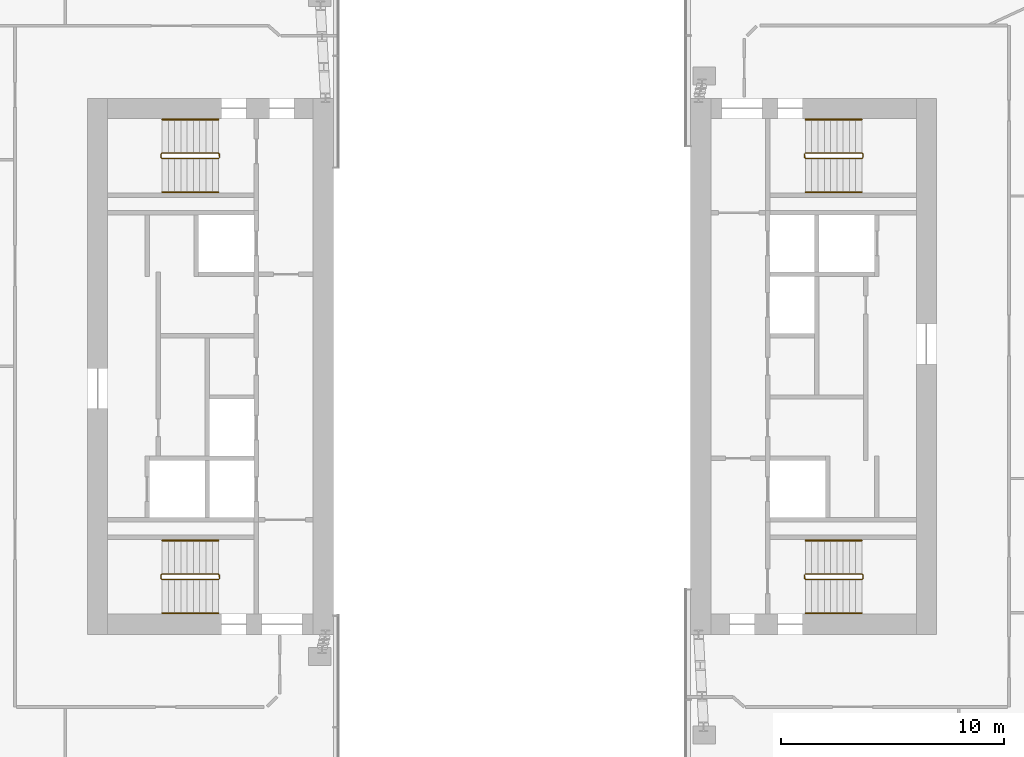
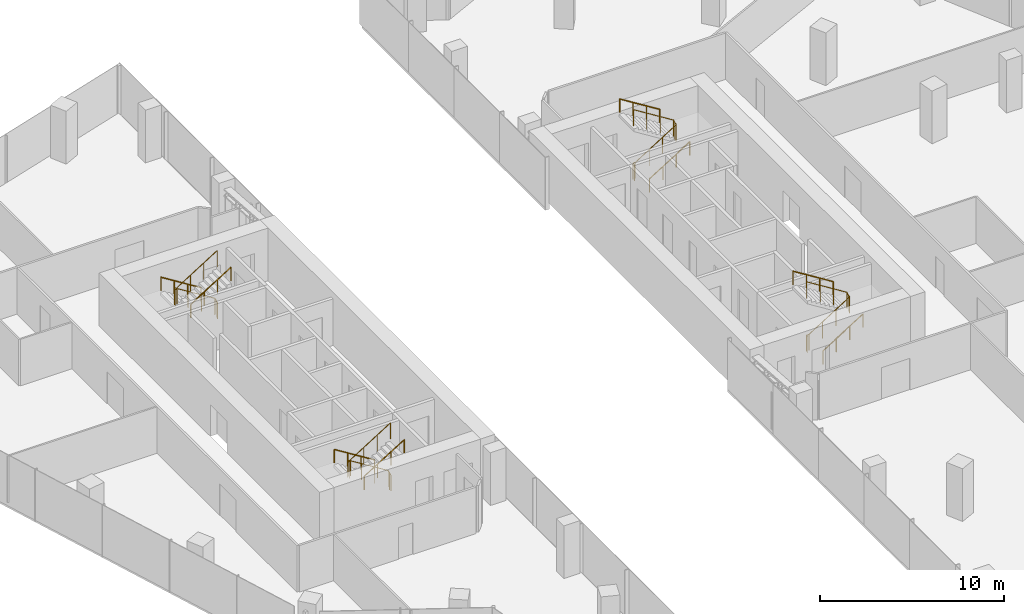
# One storey, part 22 of 23: 12 railings.
"""IFC4 building model written with IfcOpenShell, lengths in metres."""

from ifc_helpers import new_model, si_unit, direction, frame, origin, origin_2d, place, context, subcontext, project, spatial, circle, extrude, material, type_object, element, save


model = new_model("IFC4")

# Units and contexts
model_context = context("Model", 3, precision=1e-05, world=origin(), true_north=direction((0.0, 1.0)))
body_context = subcontext(model_context, "Body", "Model", "MODEL_VIEW")
ifc_project = project(units=[si_unit("LENGTHUNIT", "METRE"), si_unit("AREAUNIT", "SQUARE_METRE"), si_unit("VOLUMEUNIT", "CUBIC_METRE"), si_unit("PLANEANGLEUNIT", "RADIAN"), si_unit("MASSUNIT", "GRAM", prefix="KILO")], contexts=[model_context])

# Site, building, storey
site_placement = place(None, origin())
site = spatial("IfcSite", under=ifc_project, at=site_placement, CompositionType="ELEMENT")
building_placement = place(site_placement, origin())
building = spatial("IfcBuilding", under=site, at=building_placement, Name="Orlundy Tower", CompositionType="ELEMENT")
storey_placement = place(building_placement, frame((0.0, 0.0, 257.0)))
storey = spatial("IfcBuildingStorey", under=building, at=storey_placement, Name="L68", CompositionType="ELEMENT", Elevation=257.0)

# Railings
ifc_material_1 = material(Name="Steel balustrade", Category="steel")
railing_type_1 = type_object("IfcRailingType", Name="Stair Guard 1100", PredefinedType="GUARDRAIL", material=ifc_material_1)
railing_1_placement = place(storey_placement, frame((-13.090087890625, 9.5, 0.0)))
element("IfcRailing", 1, at=railing_1_placement, inside=storey, type_object=railing_type_1, Name="L68 ST-W1 stair guard 1", PredefinedType="GUARDRAIL", context=body_context, shape_type="SweptSolid", body=[
    extrude(circle(Radius=0.02392578125, at=origin_2d()), frame((0.0, 0.0, 1.076171875), z_axis=(0.0, -1.0, 0.0), x_axis=(1.0, 0.0, 0.0)), (0.0, 0.0, 1.0), 0.14990234375),
    extrude(circle(Radius=0.02392578125, at=origin_2d()), frame((0.0, -0.14990234375, 1.076171875), z_axis=(-0.18420542264, 0.739530593833, 0.647427882513), x_axis=(-0.970351222016, -0.241699205484, 0.0)), (0.0, 0.0, 1.0), 0.270263671875),
    extrude(circle(Radius=0.02392578125, at=origin_2d()), frame((-0.0498046875, 0.050048828125, 1.2509765625), z_axis=(-0.848007534815, 0.0, 0.529984170421), x_axis=(0.0, -1.0, 0.0)), (0.0, 0.0, 1.0), 2.9716796875),
    extrude(circle(Radius=0.02392578125, at=origin_2d()), frame((-2.56982421875, 0.050048828125, 2.826171875), z_axis=(-0.707106781187, -0.707106781187, 0.0), x_axis=(0.707106781187, -0.707106781187, 0.0)), (0.0, 0.0, 1.0), 0.07080078125),
    extrude(circle(Radius=0.02392578125, at=origin_2d()), frame((-2.619873046875, 0.0, 2.826171875), z_axis=(0.0, -1.0, 0.0), x_axis=(1.0, 0.0, 0.0)), (0.0, 0.0, 1.0), 0.14990234375),
    extrude(circle(Radius=0.02392578125, at=origin_2d()), frame((-2.619873046875, -0.14990234375, 2.826171875), z_axis=(0.265065253269, -0.265065253269, 0.927081885822), x_axis=(0.707106781187, 0.707106781187, 0.0)), (0.0, 0.0, 1.0), 0.188720703125),
    extrude(circle(Radius=0.02392578125, at=origin_2d()), frame((-2.56982421875, -0.199951171875, 3.0009765625), z_axis=(0.848007534815, 0.0, 0.529984170421), x_axis=(0.0, 1.0, 0.0)), (0.0, 0.0, 1.0), 2.9716796875),
    extrude(circle(Radius=0.02099609375, at=origin_2d()), origin(), (0.0, 0.0, 1.0), 1.052001953125),
    extrude(circle(Radius=0.02099609375, at=origin_2d()), frame((0.0, -0.14990234375, 0.0)), (0.0, 0.0, 1.0), 1.052001953125),
    extrude(circle(Radius=0.02099609375, at=origin_2d()), frame((-0.0498046875, 0.050048828125, 0.175048828125)), (0.0, 0.0, 1.0), 1.052001953125),
    extrude(circle(Radius=0.02099609375, at=origin_2d()), frame((-0.889892578125, 0.050048828125, 0.699951171875)), (0.0, 0.0, 1.0), 1.052001953125),
    extrude(circle(Radius=0.02099609375, at=origin_2d()), frame((-1.729736328125, 0.050048828125, 1.22509765625)), (0.0, 0.0, 1.0), 1.052001953125),
    extrude(circle(Radius=0.02099609375, at=origin_2d()), frame((-2.56982421875, 0.050048828125, 1.75)), (0.0, 0.0, 1.0), 1.052001953125),
    extrude(circle(Radius=0.02099609375, at=origin_2d()), frame((-2.619873046875, 0.0, 1.75)), (0.0, 0.0, 1.0), 1.052001953125),
    extrude(circle(Radius=0.02099609375, at=origin_2d()), frame((-2.619873046875, -0.14990234375, 1.75)), (0.0, 0.0, 1.0), 1.052001953125),
    extrude(circle(Radius=0.02099609375, at=origin_2d()), frame((-2.56982421875, -0.199951171875, 1.925048828125)), (0.0, 0.0, 1.0), 1.052001953125),
    extrude(circle(Radius=0.02099609375, at=origin_2d()), frame((-1.729736328125, -0.199951171875, 2.449951171875)), (0.0, 0.0, 1.0), 1.052001953125),
    extrude(circle(Radius=0.02099609375, at=origin_2d()), frame((-0.889892578125, -0.199951171875, 2.97509765625)), (0.0, 0.0, 1.0), 1.052001953125),
    extrude(circle(Radius=0.02099609375, at=origin_2d()), frame((-0.0498046875, -0.199951171875, 3.5)), (0.0, 0.0, 1.0), 1.052001953125),
])
railing_2_placement = place(storey_placement, frame((-13.090087890625, -9.35009765625, 0.0)))
element("IfcRailing", 2, at=railing_2_placement, inside=storey, type_object=railing_type_1, Name="L68 ST-W2 stair guard 1", PredefinedType="GUARDRAIL", context=body_context, shape_type="SweptSolid", body=[
    extrude(circle(Radius=0.02392578125, at=origin_2d()), frame((0.0, 0.0, 1.076171875), z_axis=(0.0, -1.0, 0.0), x_axis=(1.0, 0.0, 0.0)), (0.0, 0.0, 1.0), 0.14990234375),
    extrude(circle(Radius=0.02392578125, at=origin_2d()), frame((0.0, -0.14990234375, 1.076171875), z_axis=(-0.18420542264, 0.739530593833, 0.647427882513), x_axis=(-0.970351222016, -0.241699205484, 0.0)), (0.0, 0.0, 1.0), 0.270263671875),
    extrude(circle(Radius=0.02392578125, at=origin_2d()), frame((-0.0498046875, 0.050048828125, 1.2509765625), z_axis=(-0.848007534815, 0.0, 0.529984170421), x_axis=(0.0, -1.0, 0.0)), (0.0, 0.0, 1.0), 2.9716796875),
    extrude(circle(Radius=0.02392578125, at=origin_2d()), frame((-2.56982421875, 0.050048828125, 2.826171875), z_axis=(-0.707106781187, -0.707106781187, 0.0), x_axis=(0.707106781187, -0.707106781187, 0.0)), (0.0, 0.0, 1.0), 0.07080078125),
    extrude(circle(Radius=0.02392578125, at=origin_2d()), frame((-2.619873046875, 0.0, 2.826171875), z_axis=(0.0, -1.0, 0.0), x_axis=(1.0, 0.0, 0.0)), (0.0, 0.0, 1.0), 0.14990234375),
    extrude(circle(Radius=0.02392578125, at=origin_2d()), frame((-2.619873046875, -0.14990234375, 2.826171875), z_axis=(0.265065253269, -0.265065253269, 0.927081885822), x_axis=(0.707106781187, 0.707106781187, 0.0)), (0.0, 0.0, 1.0), 0.188720703125),
    extrude(circle(Radius=0.02392578125, at=origin_2d()), frame((-2.56982421875, -0.199951171875, 3.0009765625), z_axis=(0.848007534815, 0.0, 0.529984170421), x_axis=(0.0, 1.0, 0.0)), (0.0, 0.0, 1.0), 2.9716796875),
    extrude(circle(Radius=0.02099609375, at=origin_2d()), origin(), (0.0, 0.0, 1.0), 1.052001953125),
    extrude(circle(Radius=0.02099609375, at=origin_2d()), frame((0.0, -0.14990234375, 0.0)), (0.0, 0.0, 1.0), 1.052001953125),
    extrude(circle(Radius=0.02099609375, at=origin_2d()), frame((-0.0498046875, 0.050048828125, 0.175048828125)), (0.0, 0.0, 1.0), 1.052001953125),
    extrude(circle(Radius=0.02099609375, at=origin_2d()), frame((-0.889892578125, 0.050048828125, 0.699951171875)), (0.0, 0.0, 1.0), 1.052001953125),
    extrude(circle(Radius=0.02099609375, at=origin_2d()), frame((-1.729736328125, 0.050048828125, 1.22509765625)), (0.0, 0.0, 1.0), 1.052001953125),
    extrude(circle(Radius=0.02099609375, at=origin_2d()), frame((-2.56982421875, 0.050048828125, 1.75)), (0.0, 0.0, 1.0), 1.052001953125),
    extrude(circle(Radius=0.02099609375, at=origin_2d()), frame((-2.619873046875, 0.0, 1.75)), (0.0, 0.0, 1.0), 1.052001953125),
    extrude(circle(Radius=0.02099609375, at=origin_2d()), frame((-2.619873046875, -0.14990234375, 1.75)), (0.0, 0.0, 1.0), 1.052001953125),
    extrude(circle(Radius=0.02099609375, at=origin_2d()), frame((-2.56982421875, -0.199951171875, 1.925048828125)), (0.0, 0.0, 1.0), 1.052001953125),
    extrude(circle(Radius=0.02099609375, at=origin_2d()), frame((-1.729736328125, -0.199951171875, 2.449951171875)), (0.0, 0.0, 1.0), 1.052001953125),
    extrude(circle(Radius=0.02099609375, at=origin_2d()), frame((-0.889892578125, -0.199951171875, 2.97509765625)), (0.0, 0.0, 1.0), 1.052001953125),
    extrude(circle(Radius=0.02099609375, at=origin_2d()), frame((-0.0498046875, -0.199951171875, 3.5)), (0.0, 0.0, 1.0), 1.052001953125),
])
railing_3_placement = place(storey_placement, frame((13.090087890625, -9.5, 0.0)))
element("IfcRailing", 3, at=railing_3_placement, inside=storey, type_object=railing_type_1, Name="L68 ST-E1 stair guard 1", PredefinedType="GUARDRAIL", context=body_context, shape_type="SweptSolid", body=[
    extrude(circle(Radius=0.02392578125, at=origin_2d()), frame((0.0, 0.0, 1.076171875), z_axis=(0.0, 1.0, 0.0), x_axis=(-1.0, 0.0, 0.0)), (0.0, 0.0, 1.0), 0.14990234375),
    extrude(circle(Radius=0.02392578125, at=origin_2d()), frame((0.0, 0.14990234375, 1.076171875), z_axis=(0.18420542264, -0.739530593833, 0.647427882513), x_axis=(0.970351222016, 0.241699205484, 0.0)), (0.0, 0.0, 1.0), 0.270263671875),
    extrude(circle(Radius=0.02392578125, at=origin_2d()), frame((0.0498046875, -0.050048828125, 1.2509765625), z_axis=(0.848007534815, 0.0, 0.529984170421), x_axis=(0.0, 1.0, 0.0)), (0.0, 0.0, 1.0), 2.9716796875),
    extrude(circle(Radius=0.02392578125, at=origin_2d()), frame((2.56982421875, -0.050048828125, 2.826171875), z_axis=(0.707106781187, 0.707106781187, 0.0), x_axis=(-0.707106781187, 0.707106781187, 0.0)), (0.0, 0.0, 1.0), 0.07080078125),
    extrude(circle(Radius=0.02392578125, at=origin_2d()), frame((2.619873046875, 0.0, 2.826171875), z_axis=(0.0, 1.0, 0.0), x_axis=(-1.0, 0.0, 0.0)), (0.0, 0.0, 1.0), 0.14990234375),
    extrude(circle(Radius=0.02392578125, at=origin_2d()), frame((2.619873046875, 0.14990234375, 2.826171875), z_axis=(-0.265065253269, 0.265065253269, 0.927081885822), x_axis=(-0.707106781187, -0.707106781187, 0.0)), (0.0, 0.0, 1.0), 0.188720703125),
    extrude(circle(Radius=0.02392578125, at=origin_2d()), frame((2.56982421875, 0.199951171875, 3.0009765625), z_axis=(-0.848007534815, 0.0, 0.529984170421), x_axis=(0.0, -1.0, 0.0)), (0.0, 0.0, 1.0), 2.9716796875),
    extrude(circle(Radius=0.02099609375, at=origin_2d()), origin(), (0.0, 0.0, 1.0), 1.052001953125),
    extrude(circle(Radius=0.02099609375, at=origin_2d()), frame((0.0, 0.14990234375, 0.0)), (0.0, 0.0, 1.0), 1.052001953125),
    extrude(circle(Radius=0.02099609375, at=origin_2d()), frame((0.0498046875, -0.050048828125, 0.175048828125)), (0.0, 0.0, 1.0), 1.052001953125),
    extrude(circle(Radius=0.02099609375, at=origin_2d()), frame((0.889892578125, -0.050048828125, 0.699951171875)), (0.0, 0.0, 1.0), 1.052001953125),
    extrude(circle(Radius=0.02099609375, at=origin_2d()), frame((1.729736328125, -0.050048828125, 1.22509765625)), (0.0, 0.0, 1.0), 1.052001953125),
    extrude(circle(Radius=0.02099609375, at=origin_2d()), frame((2.56982421875, -0.050048828125, 1.75)), (0.0, 0.0, 1.0), 1.052001953125),
    extrude(circle(Radius=0.02099609375, at=origin_2d()), frame((2.619873046875, 0.0, 1.75)), (0.0, 0.0, 1.0), 1.052001953125),
    extrude(circle(Radius=0.02099609375, at=origin_2d()), frame((2.619873046875, 0.14990234375, 1.75)), (0.0, 0.0, 1.0), 1.052001953125),
    extrude(circle(Radius=0.02099609375, at=origin_2d()), frame((2.56982421875, 0.199951171875, 1.925048828125)), (0.0, 0.0, 1.0), 1.052001953125),
    extrude(circle(Radius=0.02099609375, at=origin_2d()), frame((1.729736328125, 0.199951171875, 2.449951171875)), (0.0, 0.0, 1.0), 1.052001953125),
    extrude(circle(Radius=0.02099609375, at=origin_2d()), frame((0.889892578125, 0.199951171875, 2.97509765625)), (0.0, 0.0, 1.0), 1.052001953125),
    extrude(circle(Radius=0.02099609375, at=origin_2d()), frame((0.0498046875, 0.199951171875, 3.5)), (0.0, 0.0, 1.0), 1.052001953125),
])
railing_4_placement = place(storey_placement, frame((13.090087890625, 9.35009765625, 0.0)))
element("IfcRailing", 4, at=railing_4_placement, inside=storey, type_object=railing_type_1, Name="L68 ST-E2 stair guard 1", PredefinedType="GUARDRAIL", context=body_context, shape_type="SweptSolid", body=[
    extrude(circle(Radius=0.02392578125, at=origin_2d()), frame((0.0, 0.0, 1.076171875), z_axis=(0.0, 1.0, 0.0), x_axis=(-1.0, 0.0, 0.0)), (0.0, 0.0, 1.0), 0.14990234375),
    extrude(circle(Radius=0.02392578125, at=origin_2d()), frame((0.0, 0.14990234375, 1.076171875), z_axis=(0.18420542264, -0.739530593833, 0.647427882513), x_axis=(0.970351222016, 0.241699205484, 0.0)), (0.0, 0.0, 1.0), 0.270263671875),
    extrude(circle(Radius=0.02392578125, at=origin_2d()), frame((0.0498046875, -0.050048828125, 1.2509765625), z_axis=(0.848007534815, 0.0, 0.529984170421), x_axis=(0.0, 1.0, 0.0)), (0.0, 0.0, 1.0), 2.9716796875),
    extrude(circle(Radius=0.02392578125, at=origin_2d()), frame((2.56982421875, -0.050048828125, 2.826171875), z_axis=(0.707106781187, 0.707106781187, 0.0), x_axis=(-0.707106781187, 0.707106781187, 0.0)), (0.0, 0.0, 1.0), 0.07080078125),
    extrude(circle(Radius=0.02392578125, at=origin_2d()), frame((2.619873046875, 0.0, 2.826171875), z_axis=(0.0, 1.0, 0.0), x_axis=(-1.0, 0.0, 0.0)), (0.0, 0.0, 1.0), 0.14990234375),
    extrude(circle(Radius=0.02392578125, at=origin_2d()), frame((2.619873046875, 0.14990234375, 2.826171875), z_axis=(-0.265065253269, 0.265065253269, 0.927081885822), x_axis=(-0.707106781187, -0.707106781187, 0.0)), (0.0, 0.0, 1.0), 0.188720703125),
    extrude(circle(Radius=0.02392578125, at=origin_2d()), frame((2.56982421875, 0.199951171875, 3.0009765625), z_axis=(-0.848007534815, 0.0, 0.529984170421), x_axis=(0.0, -1.0, 0.0)), (0.0, 0.0, 1.0), 2.9716796875),
    extrude(circle(Radius=0.02099609375, at=origin_2d()), origin(), (0.0, 0.0, 1.0), 1.052001953125),
    extrude(circle(Radius=0.02099609375, at=origin_2d()), frame((0.0, 0.14990234375, 0.0)), (0.0, 0.0, 1.0), 1.052001953125),
    extrude(circle(Radius=0.02099609375, at=origin_2d()), frame((0.0498046875, -0.050048828125, 0.175048828125)), (0.0, 0.0, 1.0), 1.052001953125),
    extrude(circle(Radius=0.02099609375, at=origin_2d()), frame((0.889892578125, -0.050048828125, 0.699951171875)), (0.0, 0.0, 1.0), 1.052001953125),
    extrude(circle(Radius=0.02099609375, at=origin_2d()), frame((1.729736328125, -0.050048828125, 1.22509765625)), (0.0, 0.0, 1.0), 1.052001953125),
    extrude(circle(Radius=0.02099609375, at=origin_2d()), frame((2.56982421875, -0.050048828125, 1.75)), (0.0, 0.0, 1.0), 1.052001953125),
    extrude(circle(Radius=0.02099609375, at=origin_2d()), frame((2.619873046875, 0.0, 1.75)), (0.0, 0.0, 1.0), 1.052001953125),
    extrude(circle(Radius=0.02099609375, at=origin_2d()), frame((2.619873046875, 0.14990234375, 1.75)), (0.0, 0.0, 1.0), 1.052001953125),
    extrude(circle(Radius=0.02099609375, at=origin_2d()), frame((2.56982421875, 0.199951171875, 1.925048828125)), (0.0, 0.0, 1.0), 1.052001953125),
    extrude(circle(Radius=0.02099609375, at=origin_2d()), frame((1.729736328125, 0.199951171875, 2.449951171875)), (0.0, 0.0, 1.0), 1.052001953125),
    extrude(circle(Radius=0.02099609375, at=origin_2d()), frame((0.889892578125, 0.199951171875, 2.97509765625)), (0.0, 0.0, 1.0), 1.052001953125),
    extrude(circle(Radius=0.02099609375, at=origin_2d()), frame((0.0498046875, 0.199951171875, 3.5)), (0.0, 0.0, 1.0), 1.052001953125),
])
ifc_material_2 = material(Name="Steel handrail", Category="steel")
railing_type_2 = type_object("IfcRailingType", Name="Stair Handrail 900", PredefinedType="HANDRAIL", material=ifc_material_2)
railing_5_placement = place(storey_placement, frame((-13.139892578125, 11.050048828125, 0.175048828125)))
element("IfcRailing", 5, at=railing_5_placement, inside=storey, type_object=railing_type_2, Name="L68 ST-W1 stair handrail 1", PredefinedType="HANDRAIL", context=body_context, shape_type="SweptSolid", body=[
    extrude(circle(Radius=0.02392578125, at=origin_2d()), frame((0.0, 0.0, 0.8759765625), z_axis=(-0.848007534815, 0.0, 0.529984170421), x_axis=(0.0, -1.0, 0.0)), (0.0, 0.0, 1.0), 2.9716796875),
    extrude(circle(Radius=0.02099609375, at=origin_2d()), origin(), (0.0, 0.0, 1.0), 0.851806640625),
    extrude(circle(Radius=0.02099609375, at=origin_2d()), frame((-0.840087890625, 0.0, 0.52490234375)), (0.0, 0.0, 1.0), 0.851806640625),
    extrude(circle(Radius=0.02099609375, at=origin_2d()), frame((-1.679931640625, 0.0, 1.050048828125)), (0.0, 0.0, 1.0), 0.851806640625),
    extrude(circle(Radius=0.02099609375, at=origin_2d()), frame((-2.52001953125, 0.0, 1.574951171875)), (0.0, 0.0, 1.0), 0.851806640625),
])
railing_6_placement = place(storey_placement, frame((-15.659912109375, 7.800048828125, 1.925048828125)))
element("IfcRailing", 6, at=railing_6_placement, inside=storey, type_object=railing_type_2, Name="L68 ST-W1 stair handrail 2", PredefinedType="HANDRAIL", context=body_context, shape_type="SweptSolid", body=[
    extrude(circle(Radius=0.02392578125, at=origin_2d()), frame((0.0, 0.0, 0.8759765625), z_axis=(0.848007534815, 0.0, 0.529984170421), x_axis=(0.0, 1.0, 0.0)), (0.0, 0.0, 1.0), 2.9716796875),
    extrude(circle(Radius=0.02099609375, at=origin_2d()), origin(), (0.0, 0.0, 1.0), 0.851806640625),
    extrude(circle(Radius=0.02099609375, at=origin_2d()), frame((0.840087890625, 0.0, 0.52490234375)), (0.0, 0.0, 1.0), 0.851806640625),
    extrude(circle(Radius=0.02099609375, at=origin_2d()), frame((1.679931640625, 0.0, 1.050048828125)), (0.0, 0.0, 1.0), 0.851806640625),
    extrude(circle(Radius=0.02099609375, at=origin_2d()), frame((2.52001953125, 0.0, 1.574951171875)), (0.0, 0.0, 1.0), 0.851806640625),
])
railing_7_placement = place(storey_placement, frame((-13.139892578125, -7.800048828125, 0.175048828125)))
element("IfcRailing", 7, at=railing_7_placement, inside=storey, type_object=railing_type_2, Name="L68 ST-W2 stair handrail 1", PredefinedType="HANDRAIL", context=body_context, shape_type="SweptSolid", body=[
    extrude(circle(Radius=0.02392578125, at=origin_2d()), frame((0.0, 0.0, 0.8759765625), z_axis=(-0.848007534815, 0.0, 0.529984170421), x_axis=(0.0, -1.0, 0.0)), (0.0, 0.0, 1.0), 2.9716796875),
    extrude(circle(Radius=0.02099609375, at=origin_2d()), origin(), (0.0, 0.0, 1.0), 0.851806640625),
    extrude(circle(Radius=0.02099609375, at=origin_2d()), frame((-0.840087890625, 0.0, 0.52490234375)), (0.0, 0.0, 1.0), 0.851806640625),
    extrude(circle(Radius=0.02099609375, at=origin_2d()), frame((-1.679931640625, 0.0, 1.050048828125)), (0.0, 0.0, 1.0), 0.851806640625),
    extrude(circle(Radius=0.02099609375, at=origin_2d()), frame((-2.52001953125, 0.0, 1.574951171875)), (0.0, 0.0, 1.0), 0.851806640625),
])
for number, where, name in (
    (8, (-15.659912109375, -11.050048828125, 1.925048828125), "L68 ST-W2 stair handrail 2"),
    (9, (13.139892578125, -11.050048828125, 0.175048828125), "L68 ST-E1 stair handrail 1"),
):
    element("IfcRailing", number, at=place(storey_placement, frame(where)), inside=storey, type_object=railing_type_2, Name=name, PredefinedType="HANDRAIL", context=body_context, shape_type="SweptSolid", body=[
        extrude(circle(Radius=0.02392578125, at=origin_2d()), frame((0.0, 0.0, 0.8759765625), z_axis=(0.848007534815, 0.0, 0.529984170421), x_axis=(0.0, 1.0, 0.0)), (0.0, 0.0, 1.0), 2.9716796875),
        extrude(circle(Radius=0.02099609375, at=origin_2d()), origin(), (0.0, 0.0, 1.0), 0.851806640625),
        extrude(circle(Radius=0.02099609375, at=origin_2d()), frame((0.840087890625, 0.0, 0.52490234375)), (0.0, 0.0, 1.0), 0.851806640625),
        extrude(circle(Radius=0.02099609375, at=origin_2d()), frame((1.679931640625, 0.0, 1.050048828125)), (0.0, 0.0, 1.0), 0.851806640625),
        extrude(circle(Radius=0.02099609375, at=origin_2d()), frame((2.52001953125, 0.0, 1.574951171875)), (0.0, 0.0, 1.0), 0.851806640625),
    ])
railing_8_placement = place(storey_placement, frame((15.659912109375, -7.800048828125, 1.925048828125)))
element("IfcRailing", 10, at=railing_8_placement, inside=storey, type_object=railing_type_2, Name="L68 ST-E1 stair handrail 2", PredefinedType="HANDRAIL", context=body_context, shape_type="SweptSolid", body=[
    extrude(circle(Radius=0.02392578125, at=origin_2d()), frame((0.0, 0.0, 0.8759765625), z_axis=(-0.848007534815, 0.0, 0.529984170421), x_axis=(0.0, -1.0, 0.0)), (0.0, 0.0, 1.0), 2.9716796875),
    extrude(circle(Radius=0.02099609375, at=origin_2d()), origin(), (0.0, 0.0, 1.0), 0.851806640625),
    extrude(circle(Radius=0.02099609375, at=origin_2d()), frame((-0.840087890625, 0.0, 0.52490234375)), (0.0, 0.0, 1.0), 0.851806640625),
    extrude(circle(Radius=0.02099609375, at=origin_2d()), frame((-1.679931640625, 0.0, 1.050048828125)), (0.0, 0.0, 1.0), 0.851806640625),
    extrude(circle(Radius=0.02099609375, at=origin_2d()), frame((-2.52001953125, 0.0, 1.574951171875)), (0.0, 0.0, 1.0), 0.851806640625),
])
railing_9_placement = place(storey_placement, frame((13.139892578125, 7.800048828125, 0.175048828125)))
element("IfcRailing", 11, at=railing_9_placement, inside=storey, type_object=railing_type_2, Name="L68 ST-E2 stair handrail 1", PredefinedType="HANDRAIL", context=body_context, shape_type="SweptSolid", body=[
    extrude(circle(Radius=0.02392578125, at=origin_2d()), frame((0.0, 0.0, 0.8759765625), z_axis=(0.848007534815, 0.0, 0.529984170421), x_axis=(0.0, 1.0, 0.0)), (0.0, 0.0, 1.0), 2.9716796875),
    extrude(circle(Radius=0.02099609375, at=origin_2d()), origin(), (0.0, 0.0, 1.0), 0.851806640625),
    extrude(circle(Radius=0.02099609375, at=origin_2d()), frame((0.840087890625, 0.0, 0.52490234375)), (0.0, 0.0, 1.0), 0.851806640625),
    extrude(circle(Radius=0.02099609375, at=origin_2d()), frame((1.679931640625, 0.0, 1.050048828125)), (0.0, 0.0, 1.0), 0.851806640625),
    extrude(circle(Radius=0.02099609375, at=origin_2d()), frame((2.52001953125, 0.0, 1.574951171875)), (0.0, 0.0, 1.0), 0.851806640625),
])
railing_10_placement = place(storey_placement, frame((15.659912109375, 11.050048828125, 1.925048828125)))
element("IfcRailing", 12, at=railing_10_placement, inside=storey, type_object=railing_type_2, Name="L68 ST-E2 stair handrail 2", PredefinedType="HANDRAIL", context=body_context, shape_type="SweptSolid", body=[
    extrude(circle(Radius=0.02392578125, at=origin_2d()), frame((0.0, 0.0, 0.8759765625), z_axis=(-0.848007534815, 0.0, 0.529984170421), x_axis=(0.0, -1.0, 0.0)), (0.0, 0.0, 1.0), 2.9716796875),
    extrude(circle(Radius=0.02099609375, at=origin_2d()), origin(), (0.0, 0.0, 1.0), 0.851806640625),
    extrude(circle(Radius=0.02099609375, at=origin_2d()), frame((-0.840087890625, 0.0, 0.52490234375)), (0.0, 0.0, 1.0), 0.851806640625),
    extrude(circle(Radius=0.02099609375, at=origin_2d()), frame((-1.679931640625, 0.0, 1.050048828125)), (0.0, 0.0, 1.0), 0.851806640625),
    extrude(circle(Radius=0.02099609375, at=origin_2d()), frame((-2.52001953125, 0.0, 1.574951171875)), (0.0, 0.0, 1.0), 0.851806640625),
])

save(model, "model.ifc")
